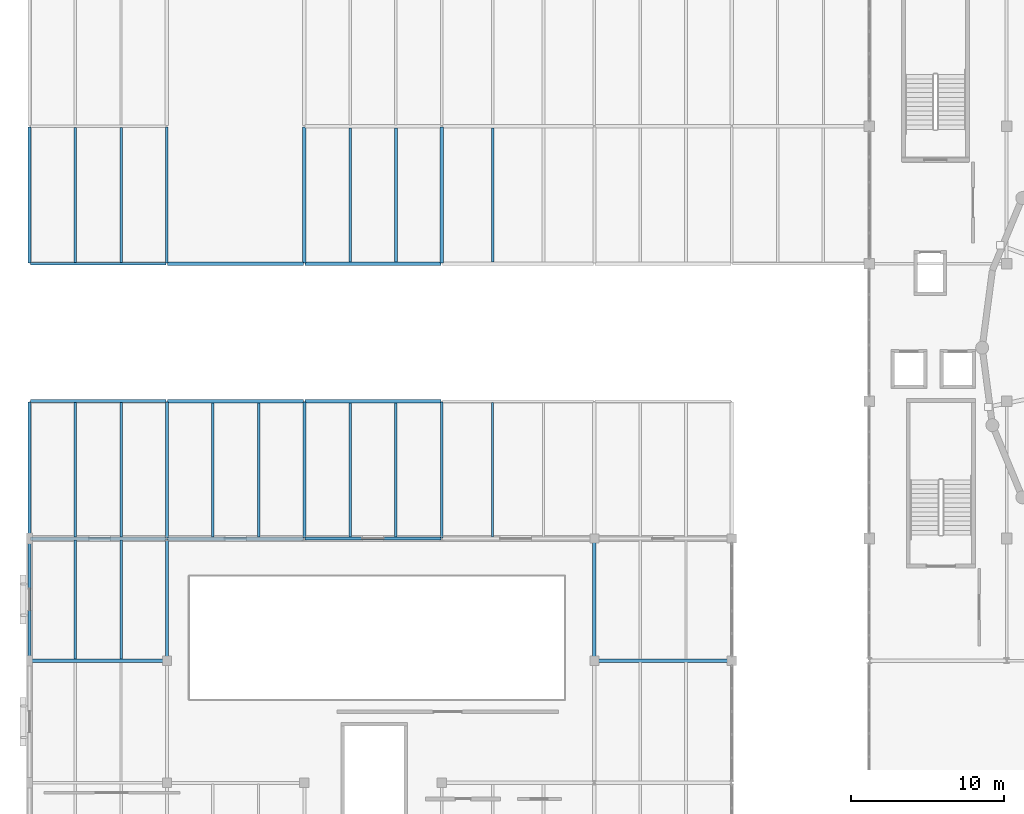
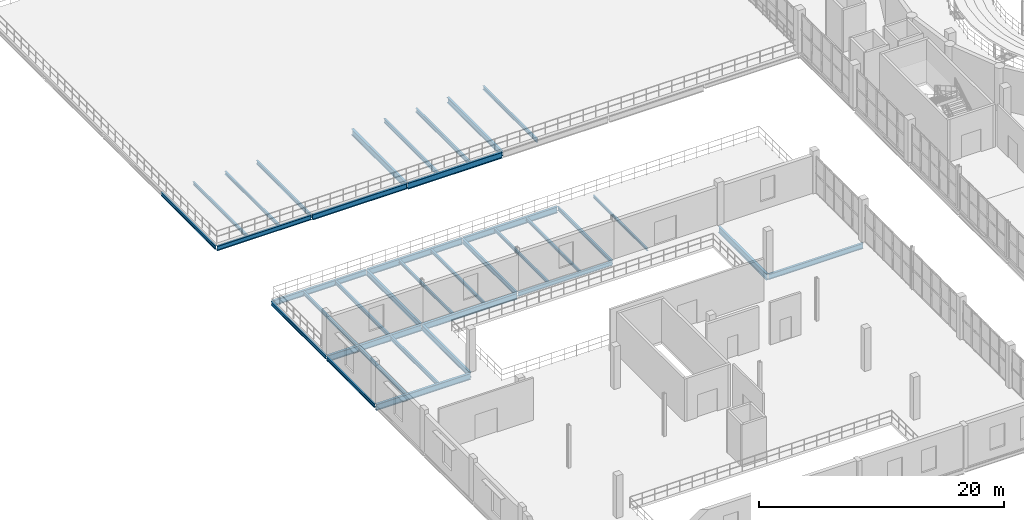
# One storey, part 18 of 73: 36 beams.
"""IFC4 building model written with IfcOpenShell, lengths in metres."""

import ifcopenshell
import ifcopenshell.guid

model = None  # the IFC model being written
_history = None  # IfcOwnerHistory: only IFC2X3 demands one
_inside = {}  # id of a spatial element -> (the spatial element, [elements in it])
_under = {}  # id of a project, library or spatial element -> (it, [spatial elements below it])
_declared = {}  # id of a project -> (the project, [libraries it declares])
_typed = {}  # id of a type object -> (the type object, [elements of that type])
_made_of = {}  # id of a material, layer set ... -> (it, [elements and type objects made of it])


def new_model(schema):
    """Start an empty IFC model of exactly this schema.

    Asked for "IFC4X3", IfcOpenShell would pick the latest addendum, in which some entities
    have other attributes; the version numbers below select the first issue.
    IFC2X3 requires an IfcOwnerHistory on every rooted entity: one is made here for all.
    """
    global model, _history
    if schema == "IFC4X3":
        model = ifcopenshell.file(schema_version=(4, 3, 0, 0))
    else:
        model = ifcopenshell.file(schema=schema)
    _inside.clear()
    _under.clear()
    _declared.clear()
    _typed.clear()
    _made_of.clear()
    _history = None
    if model.schema == "IFC2X3":
        org = make("IfcOrganization", Name="unknown")
        user = make(
            "IfcPersonAndOrganization",
            ThePerson=make("IfcPerson", FamilyName="unknown"),
            TheOrganization=org,
        )
        app = make(
            "IfcApplication",
            ApplicationDeveloper=org,
            Version="unknown",
            ApplicationFullName="unknown",
            ApplicationIdentifier="unknown",
        )
        _history = make(
            "IfcOwnerHistory",
            OwningUser=user,
            OwningApplication=app,
            ChangeAction="ADDED",
            CreationDate=0,
        )
    return model


def make(cls, **values):
    """One entity of the class cls with the attributes given. An attribute that is None is left unset."""
    return model.create_entity(
        cls, **{name: value for name, value in values.items() if value is not None}
    )


def rooted(cls, **values):
    """An entity with a GlobalId (a new one), such as an element, a storey or a relation."""
    return make(cls, GlobalId=ifcopenshell.guid.new(), OwnerHistory=_history, **values)


def si_unit(unit_type, name, prefix=None):
    """IfcSIUnit, for example si_unit("LENGTHUNIT", "METRE", prefix="MILLI")."""
    return make("IfcSIUnit", UnitType=unit_type, Prefix=prefix, Name=name)


def assignment(units):
    """IfcUnitAssignment: the units of a project."""
    return None if units is None else make("IfcUnitAssignment", Units=units)


def point(xyz):
    """IfcCartesianPoint."""
    return None if xyz is None else make("IfcCartesianPoint", Coordinates=xyz)


def direction(xyz):
    """IfcDirection."""
    return None if xyz is None else make("IfcDirection", DirectionRatios=xyz)


def frame(location, z_axis=None, x_axis=None):
    """IfcAxis2Placement3D, a coordinate frame: its origin and axes. An axis left out is left unset."""
    return make(
        "IfcAxis2Placement3D",
        Location=point(location),
        Axis=direction(z_axis),
        RefDirection=direction(x_axis),
    )


def frame_2d(location, x_axis=None):
    """IfcAxis2Placement2D, a coordinate frame in the plane: its origin and x axis."""
    return make(
        "IfcAxis2Placement2D", Location=point(location), RefDirection=direction(x_axis)
    )


def origin():
    """The frame at (0, 0, 0) with its axes left unset."""
    return frame((0.0, 0.0, 0.0))


def origin_2d():
    """The frame at (0, 0) in the plane with its x axis left unset."""
    return frame_2d((0.0, 0.0))


def place(relative_to, where):
    """IfcLocalPlacement: puts the frame where relative to a parent placement (None: the world)."""
    return make(
        "IfcLocalPlacement", PlacementRelTo=relative_to, RelativePlacement=where
    )


def context(
    kind, dimensions, precision=None, world=None, true_north=None, identifier=None
):
    """IfcGeometricRepresentationContext, for example the 3D "Model" context."""
    return make(
        "IfcGeometricRepresentationContext",
        ContextIdentifier=identifier,
        ContextType=kind,
        CoordinateSpaceDimension=dimensions,
        Precision=precision,
        WorldCoordinateSystem=world,
        TrueNorth=true_north,
    )


def subcontext(parent, identifier, kind, view, scale=None):
    """IfcGeometricRepresentationSubContext, for example "Body" below "Model"."""
    return make(
        "IfcGeometricRepresentationSubContext",
        ContextIdentifier=identifier,
        ContextType=kind,
        ParentContext=parent,
        TargetScale=scale,
        TargetView=view,
    )


def project(units=None, contexts=None):
    """IfcProject with its units and contexts."""
    return rooted(
        "IfcProject",
        Name="project",
        RepresentationContexts=contexts,
        UnitsInContext=assignment(units),
    )


def spatial(cls, under=None, at=None, **own):
    """A site, building, storey or space (cls), placed at a placement, below another one or the project."""
    s = rooted(cls, ObjectPlacement=at, **own)
    if under is not None:
        _under.setdefault(under.id(), (under, []))[1].append(s)
    return s


def profile(cls, at=None, kind="AREA", **sizes):
    """A parametric profile (cls). Its sizes go by their IFC names, for example OverallWidth=200.0."""
    return make(cls, ProfileType=kind, Position=at, **sizes)


def i_section(**sizes):
    """IfcIShapeProfileDef."""
    return profile("IfcIShapeProfileDef", **sizes)


def extrude(swept, where, along, depth):
    """IfcExtrudedAreaSolid: the profile swept, set in the frame where, extruded along a direction by depth."""
    return make(
        "IfcExtrudedAreaSolid",
        SweptArea=swept,
        Position=where,
        ExtrudedDirection=direction(along),
        Depth=depth,
    )


def shape(context_of_items, identifier, shape_type, items):
    """IfcShapeRepresentation: the items that make up one representation, for example the "Body"."""
    return make(
        "IfcShapeRepresentation",
        ContextOfItems=context_of_items,
        RepresentationIdentifier=identifier,
        RepresentationType=shape_type,
        Items=items,
    )


def material(Name=None, Category=None):
    """IfcMaterial."""
    return make("IfcMaterial", Name=Name, Category=Category)


def material_profile(
    of_material, cross_section, Name=None, Category=None, Priority=None
):
    """IfcMaterialProfile: a cross section and its material."""
    return make(
        "IfcMaterialProfile",
        Name=Name,
        Material=of_material,
        Profile=cross_section,
        Priority=Priority,
        Category=Category,
    )


def profile_set(profiles, Name=None, composite=None):
    """IfcMaterialProfileSet."""
    return make(
        "IfcMaterialProfileSet",
        Name=Name,
        MaterialProfiles=profiles,
        CompositeProfile=composite,
    )


def made_of(thing, what):
    """Note that an element or type object is made of a material, layer set ...; save() writes the relation."""
    if what is not None:
        _made_of.setdefault(what.id(), (what, []))[1].append(thing)
    return thing


def type_object(cls, material=None, **own):
    """A type object (cls), such as IfcWallType, which elements share."""
    return made_of(rooted(cls, **own), material)


def element(
    cls,
    number,
    at=None,
    inside=None,
    cuts=None,
    type_object=None,
    material=None,
    context=None,
    identifier="Body",
    shape_type=None,
    held_by="IfcProductDefinitionShape",
    body=None,
    shapes=None,
    **own,
):
    """One element of the class cls, such as IfcWall. Its Tag is "e" and its number.

    at: its placement. inside: the storey or other place that contains it. cuts: it is an
    opening in that element (IfcRelVoidsElement). A single representation is given by context,
    identifier, shape_type and body (its items); several are given by shapes. held_by: the class
    of the entity that holds the representations. save() writes the other relations.
    """
    e = rooted(cls, Tag="e%d" % number, ObjectPlacement=at, **own)
    if body is not None:
        shapes = [shape(context, identifier, shape_type, body)]
    if shapes is not None:
        e.Representation = make(held_by, Representations=shapes)
    if inside is not None:
        _inside.setdefault(inside.id(), (inside, []))[1].append(e)
    if cuts is not None:
        rooted(
            "IfcRelVoidsElement", RelatingBuildingElement=cuts, RelatedOpeningElement=e
        )
    if type_object is not None:
        _typed.setdefault(type_object.id(), (type_object, []))[1].append(e)
    return made_of(e, material)


def aggregate(whole, parts):
    """IfcRelAggregates: a whole, such as a stair, and the parts it consists of."""
    return rooted("IfcRelAggregates", RelatingObject=whole, RelatedObjects=parts)


def save(model, path):
    """Write the relations noted so far, then the file.

    IfcRelAggregates (storeys below a building ...), IfcRelContainedInSpatialStructure (elements
    in a storey), IfcRelDefinesByType, IfcRelAssociatesMaterial and IfcRelDeclares: one each for
    every whole, place, type object, material and project.
    """
    for whole, parts in _under.values():
        aggregate(whole, parts)
    for where, things in _inside.values():
        rooted(
            "IfcRelContainedInSpatialStructure",
            RelatedElements=things,
            RelatingStructure=where,
        )
    for kind, things in _typed.values():
        rooted("IfcRelDefinesByType", RelatedObjects=things, RelatingType=kind)
    for what, things in _made_of.values():
        rooted("IfcRelAssociatesMaterial", RelatedObjects=things, RelatingMaterial=what)
    for by, libraries in _declared.values():
        rooted("IfcRelDeclares", RelatingContext=by, RelatedDefinitions=libraries)
    model.write(path)


model = new_model("IFC4")

# Units and contexts
model_context = context("Model", 3, precision=1e-05, world=origin(), true_north=direction((0.0, 1.0)))
body_context = subcontext(model_context, "Body", "Model", "MODEL_VIEW")
ifc_project = project(units=[si_unit("LENGTHUNIT", "METRE"), si_unit("AREAUNIT", "SQUARE_METRE"), si_unit("VOLUMEUNIT", "CUBIC_METRE"), si_unit("PLANEANGLEUNIT", "RADIAN"), si_unit("MASSUNIT", "GRAM", prefix="KILO")], contexts=[model_context])

# Site, building, storey
site_placement = place(None, origin())
site = spatial("IfcSite", under=ifc_project, at=site_placement, CompositionType="ELEMENT")
building_placement = place(site_placement, origin())
building = spatial("IfcBuilding", under=site, at=building_placement, Name="Marnock Terrace Opera House", CompositionType="ELEMENT")
storey_placement = place(building_placement, frame((0.0, 0.0, 14.699951171875)))
storey = spatial("IfcBuildingStorey", under=building, at=storey_placement, Name="L03", CompositionType="ELEMENT", Elevation=14.699951171875)

# Beams
ifc_material = material(Name="Steel Grade 350 (AS/NZS 3679.1)", Category="steel")
ifc_material_profile_1 = material_profile(ifc_material, i_section(OverallWidth=0.1708984375, OverallDepth=0.355712890625, WebThickness=0.00732421875, FlangeThickness=0.011474609375, FilletRadius=0.011474609375, at=origin_2d()))
ifc_profile_set_1 = profile_set([ifc_material_profile_1], Name="Steel Grade 350 (AS/NZS 3679.1)")
beam_type_1 = type_object("IfcBeamType", Name="BM-GIRD-360", PredefinedType="BEAM", material=ifc_profile_set_1)
for number, where, z_axis, x_axis, name in (
    (1, (9.0, 66.050048828125, -0.44775390625), (0.0, 1.0, 0.0), (-1.0, 0.0, 0.0), "L03 girder (X=9.0, 66.0..75.0)"),
    (2, (27.0, 48.050048828125, -0.44775390625), (0.0, 1.0, 0.0), (-1.0, 0.0, 0.0), "L03 girder (X=27.0, 48.0..57.0)"),
):
    element("IfcBeam", number, at=place(storey_placement, frame(where, z_axis=z_axis, x_axis=x_axis)), inside=storey, type_object=beam_type_1, Name=name, PredefinedType="BEAM", context=body_context, shape_type="SweptSolid", body=[
        extrude(i_section(OverallWidth=0.1708984375, OverallDepth=0.355712890625, WebThickness=0.00732421875, FlangeThickness=0.011474609375, FilletRadius=0.011474609375, at=origin_2d()), origin(), (0.0, 0.0, 1.0), 8.89990234375),
    ])
ifc_material_profile_2 = material_profile(ifc_material, i_section(OverallWidth=0.177978515625, OverallDepth=0.402587890625, WebThickness=0.007568359375, FlangeThickness=0.010986328125, FilletRadius=0.011474609375, at=origin_2d()))
ifc_profile_set_2 = profile_set([ifc_material_profile_2], Name="Steel Grade 350 (AS/NZS 3679.1)")
beam_type_2 = type_object("IfcBeamType", Name="BM-GIRD-410", PredefinedType="BEAM", material=ifc_profile_set_2)
beam_1_placement = place(storey_placement, frame((18.050048828125, 48.0, -0.47119140625), z_axis=(1.0, 0.0, 0.0), x_axis=(0.0, 1.0, 0.0)))
element("IfcBeam", 3, at=beam_1_placement, inside=storey, type_object=beam_type_2, Name="L03 girder (18.0..27.0, Y=48.0)", PredefinedType="BEAM", context=body_context, shape_type="SweptSolid", body=[
    extrude(i_section(OverallWidth=0.177978515625, OverallDepth=0.402587890625, WebThickness=0.007568359375, FlangeThickness=0.010986328125, FilletRadius=0.011474609375, at=origin_2d()), origin(), (0.0, 0.0, 1.0), 8.89990234375),
])
ifc_material_profile_3 = material_profile(ifc_material, i_section(OverallWidth=0.19091796875, OverallDepth=0.46044921875, WebThickness=0.010009765625, FlangeThickness=0.01611328125, FilletRadius=0.011474609375, at=origin_2d()))
ifc_profile_set_3 = profile_set([ifc_material_profile_3], Name="Steel Grade 350 (AS/NZS 3679.1)")
beam_type_3 = type_object("IfcBeamType", Name="BM-GIRD-460A", PredefinedType="BEAM", material=ifc_profile_set_3)
beam_2_placement = place(storey_placement, frame((0.050048828125, 66.0, -0.500244140625), z_axis=(1.0, 0.0, 0.0), x_axis=(0.0, 1.0, 0.0)))
element("IfcBeam", 4, at=beam_2_placement, inside=storey, type_object=beam_type_3, Name="L03 girder (0.0..9.0, Y=66.0)", PredefinedType="BEAM", context=body_context, shape_type="SweptSolid", body=[
    extrude(i_section(OverallWidth=0.19091796875, OverallDepth=0.46044921875, WebThickness=0.010009765625, FlangeThickness=0.01611328125, FilletRadius=0.011474609375, at=origin_2d()), origin(), (0.0, 0.0, 1.0), 8.89990234375),
])
ifc_material_profile_4 = material_profile(ifc_material, i_section(OverallWidth=0.18994140625, OverallDepth=0.45751953125, WebThickness=0.009033203125, FlangeThickness=0.014404296875, FilletRadius=0.011474609375, at=origin_2d()))
ifc_profile_set_4 = profile_set([ifc_material_profile_4], Name="Steel Grade 350 (AS/NZS 3679.1)")
beam_type_4 = type_object("IfcBeamType", Name="BM-GIRD-460B", PredefinedType="BEAM", material=ifc_profile_set_4)
beam_3_placement = place(storey_placement, frame((18.0, 48.050048828125, -0.49853515625), z_axis=(0.0, 1.0, 0.0), x_axis=(-1.0, 0.0, 0.0)))
element("IfcBeam", 5, at=beam_3_placement, inside=storey, type_object=beam_type_4, Name="L03 girder (X=18.0, 48.0..57.0)", PredefinedType="BEAM", context=body_context, shape_type="SweptSolid", body=[
    extrude(i_section(OverallWidth=0.18994140625, OverallDepth=0.45751953125, WebThickness=0.009033203125, FlangeThickness=0.014404296875, FilletRadius=0.011474609375, at=origin_2d()), origin(), (0.0, 0.0, 1.0), 8.89990234375),
])
ifc_material_profile_5 = material_profile(ifc_material, i_section(OverallWidth=0.208984375, OverallDepth=0.532958984375, WebThickness=0.01025390625, FlangeThickness=0.015625, FilletRadius=0.013916015625, at=origin_2d()))
ifc_profile_set_5 = profile_set([ifc_material_profile_5], Name="Steel Grade 350 (AS/NZS 3679.1)")
beam_type_5 = type_object("IfcBeamType", Name="BM-GIRD-530A", PredefinedType="BEAM", material=ifc_profile_set_5)
for number, where, z_axis, x_axis, name in (
    (6, (37.050048828125, 40.0, -0.5263671875), (1.0, 0.0, 0.0), (0.0, 1.0, 0.0), "L03 girder (37.0..46.0, Y=40.0)"),
    (7, (0.050048828125, 57.0, -0.536376953125), (1.0, 0.0, 0.0), (0.0, 1.0, 0.0), "L03 girder (0.0..9.0, Y=57.0)"),
    (8, (9.050048828125, 66.0, -0.536376953125), (1.0, 0.0, 0.0), (0.0, 1.0, 0.0), "L03 girder (9.0..18.0, Y=66.0)"),
):
    element("IfcBeam", number, at=place(storey_placement, frame(where, z_axis=z_axis, x_axis=x_axis)), inside=storey, type_object=beam_type_5, Name=name, PredefinedType="BEAM", context=body_context, shape_type="SweptSolid", body=[
        extrude(i_section(OverallWidth=0.208984375, OverallDepth=0.532958984375, WebThickness=0.01025390625, FlangeThickness=0.015625, FilletRadius=0.013916015625, at=origin_2d()), origin(), (0.0, 0.0, 1.0), 8.89990234375),
    ])
ifc_material_profile_6 = material_profile(ifc_material, i_section(OverallWidth=0.208984375, OverallDepth=0.528076171875, WebThickness=0.009521484375, FlangeThickness=0.01318359375, FilletRadius=0.013916015625, at=origin_2d()))
ifc_profile_set_6 = profile_set([ifc_material_profile_6], Name="Steel Grade 350 (AS/NZS 3679.1)")
beam_type_6 = type_object("IfcBeamType", Name="BM-GIRD-530B", PredefinedType="BEAM", material=ifc_profile_set_6)
beam_4_placement = place(storey_placement, frame((9.0, 40.050048828125, -0.533935546875), z_axis=(0.0, 1.0, 0.0), x_axis=(-1.0, 0.0, 0.0)))
element("IfcBeam", 9, at=beam_4_placement, inside=storey, type_object=beam_type_6, Name="L03 girder (X=9.0, 40.0..48.0)", PredefinedType="BEAM", context=body_context, shape_type="SweptSolid", body=[
    extrude(i_section(OverallWidth=0.208984375, OverallDepth=0.528076171875, WebThickness=0.009521484375, FlangeThickness=0.01318359375, FilletRadius=0.013916015625, at=origin_2d()), origin(), (0.0, 0.0, 1.0), 7.89990234375),
])
for number, where, z_axis, x_axis, name in (
    (10, (9.0, 48.050048828125, -0.533935546875), (0.0, 1.0, 0.0), (-1.0, 0.0, 0.0), "L03 girder (X=9.0, 48.0..57.0)"),
    (11, (27.0, 66.050048828125, -0.533935546875), (0.0, 1.0, 0.0), (-1.0, 0.0, 0.0), "L03 girder (X=27.0, 66.0..75.0)"),
):
    element("IfcBeam", number, at=place(storey_placement, frame(where, z_axis=z_axis, x_axis=x_axis)), inside=storey, type_object=beam_type_6, Name=name, PredefinedType="BEAM", context=body_context, shape_type="SweptSolid", body=[
        extrude(i_section(OverallWidth=0.208984375, OverallDepth=0.528076171875, WebThickness=0.009521484375, FlangeThickness=0.01318359375, FilletRadius=0.013916015625, at=origin_2d()), origin(), (0.0, 0.0, 1.0), 8.89990234375),
    ])
ifc_material_profile_7 = material_profile(ifc_material, i_section(OverallWidth=0.22900390625, OverallDepth=0.611572265625, WebThickness=0.011962890625, FlangeThickness=0.01953125, FilletRadius=0.013916015625, at=origin_2d()))
ifc_profile_set_7 = profile_set([ifc_material_profile_7], Name="Steel Grade 350 (AS/NZS 3679.1)")
beam_type_7 = type_object("IfcBeamType", Name="BM-GIRD-610A", PredefinedType="BEAM", material=ifc_profile_set_7)
for number, where, z_axis, x_axis, name in (
    (12, (0.050048828125, 40.0, -0.565673828125), (1.0, 0.0, 0.0), (0.0, 1.0, 0.0), "L03 girder (0.0..9.0, Y=40.0)"),
    (13, (9.050048828125, 48.0, -0.57568359375), (1.0, 0.0, 0.0), (0.0, 1.0, 0.0), "L03 girder (9.0..18.0, Y=48.0)"),
    (14, (18.050048828125, 57.0, -0.57568359375), (1.0, 0.0, 0.0), (0.0, 1.0, 0.0), "L03 girder (18.0..27.0, Y=57.0)"),
):
    element("IfcBeam", number, at=place(storey_placement, frame(where, z_axis=z_axis, x_axis=x_axis)), inside=storey, type_object=beam_type_7, Name=name, PredefinedType="BEAM", context=body_context, shape_type="SweptSolid", body=[
        extrude(i_section(OverallWidth=0.22900390625, OverallDepth=0.611572265625, WebThickness=0.011962890625, FlangeThickness=0.01953125, FilletRadius=0.013916015625, at=origin_2d()), origin(), (0.0, 0.0, 1.0), 8.89990234375),
    ])
ifc_material_profile_8 = material_profile(ifc_material, i_section(OverallWidth=0.22802734375, OverallDepth=0.60693359375, WebThickness=0.01123046875, FlangeThickness=0.017333984375, FilletRadius=0.013916015625, at=origin_2d()))
ifc_profile_set_8 = profile_set([ifc_material_profile_8], Name="Steel Grade 350 (AS/NZS 3679.1)")
beam_type_8 = type_object("IfcBeamType", Name="BM-GIRD-610B", PredefinedType="BEAM", material=ifc_profile_set_8)
for number, where, z_axis, x_axis, name in (
    (15, (0.050048828125, 48.0, -0.573486328125), (1.0, 0.0, 0.0), (0.0, 1.0, 0.0), "L03 girder (0.0..9.0, Y=48.0)"),
    (16, (9.050048828125, 57.0, -0.573486328125), (1.0, 0.0, 0.0), (0.0, 1.0, 0.0), "L03 girder (9.0..18.0, Y=57.0)"),
    (17, (18.050048828125, 66.0, -0.573486328125), (1.0, 0.0, 0.0), (0.0, 1.0, 0.0), "L03 girder (18.0..27.0, Y=66.0)"),
):
    element("IfcBeam", number, at=place(storey_placement, frame(where, z_axis=z_axis, x_axis=x_axis)), inside=storey, type_object=beam_type_8, Name=name, PredefinedType="BEAM", context=body_context, shape_type="SweptSolid", body=[
        extrude(i_section(OverallWidth=0.22802734375, OverallDepth=0.60693359375, WebThickness=0.01123046875, FlangeThickness=0.017333984375, FilletRadius=0.013916015625, at=origin_2d()), origin(), (0.0, 0.0, 1.0), 8.89990234375),
    ])
ifc_material_profile_9 = material_profile(ifc_material, i_section(OverallWidth=0.22802734375, OverallDepth=0.60205078125, WebThickness=0.010498046875, FlangeThickness=0.014892578125, FilletRadius=0.013916015625, at=origin_2d()))
ifc_profile_set_9 = profile_set([ifc_material_profile_9], Name="Steel Grade 350 (AS/NZS 3679.1)")
beam_type_9 = type_object("IfcBeamType", Name="BM-GIRD-610C", PredefinedType="BEAM", material=ifc_profile_set_9)
beam_5_placement = place(storey_placement, frame((18.0, 66.050048828125, -0.571044921875), z_axis=(0.0, 1.0, 0.0), x_axis=(-1.0, 0.0, 0.0)))
element("IfcBeam", 18, at=beam_5_placement, inside=storey, type_object=beam_type_9, Name="L03 girder (X=18.0, 66.0..75.0)", PredefinedType="BEAM", context=body_context, shape_type="SweptSolid", body=[
    extrude(i_section(OverallWidth=0.22802734375, OverallDepth=0.60205078125, WebThickness=0.010498046875, FlangeThickness=0.014892578125, FilletRadius=0.013916015625, at=origin_2d()), origin(), (0.0, 0.0, 1.0), 8.89990234375),
])
beam_6_placement = place(storey_placement, frame((37.0, 40.050048828125, -0.571044921875), z_axis=(0.0, 1.0, 0.0), x_axis=(-1.0, 0.0, 0.0)))
element("IfcBeam", 19, at=beam_6_placement, inside=storey, type_object=beam_type_9, Name="L03 girder (X=37.0, 40.0..48.0)", PredefinedType="BEAM", context=body_context, shape_type="SweptSolid", body=[
    extrude(i_section(OverallWidth=0.22802734375, OverallDepth=0.60205078125, WebThickness=0.010498046875, FlangeThickness=0.014892578125, FilletRadius=0.013916015625, at=origin_2d()), origin(), (0.0, 0.0, 1.0), 7.89990234375),
])
ifc_material_profile_10 = material_profile(ifc_material, i_section(OverallWidth=0.14599609375, OverallDepth=0.256103515625, WebThickness=0.00634765625, FlangeThickness=0.010986328125, FilletRadius=0.0087890625, at=origin_2d()))
ifc_profile_set_10 = profile_set([ifc_material_profile_10], Name="Steel Grade 350 (AS/NZS 3679.1)")
beam_type_10 = type_object("IfcBeamType", Name="BM-JOIST-250", PredefinedType="JOIST", material=ifc_profile_set_10)
beam_7_placement = place(storey_placement, frame((30.333251953125, 48.090576171875, -0.39794921875), z_axis=(0.0, 1.0, 0.0), x_axis=(-1.0, 0.0, 0.0)))
element("IfcBeam", 20, at=beam_7_placement, inside=storey, type_object=beam_type_10, Name="L03 secondary joist 3.6.1", PredefinedType="JOIST", context=body_context, shape_type="SweptSolid", body=[
    extrude(i_section(OverallWidth=0.14599609375, OverallDepth=0.256103515625, WebThickness=0.00634765625, FlangeThickness=0.010986328125, FilletRadius=0.0087890625, at=origin_2d()), origin(), (0.0, 0.0, 1.0), 8.825439453125),
])
ifc_material_profile_11 = material_profile(ifc_material, i_section(OverallWidth=0.166015625, OverallDepth=0.30712890625, WebThickness=0.006591796875, FlangeThickness=0.01171875, FilletRadius=0.011474609375, at=origin_2d()))
ifc_profile_set_11 = profile_set([ifc_material_profile_11], Name="Steel Grade 350 (AS/NZS 3679.1)")
beam_type_11 = type_object("IfcBeamType", Name="BM-JOIST-310A", PredefinedType="JOIST", material=ifc_profile_set_11)
for number, where, z_axis, x_axis, name in (
    (21, (12.0, 48.109619140625, -0.423583984375), (0.0, 1.0, 0.0), (-1.0, 0.0, 0.0), "L03 secondary joist 1.6.1"),
    (22, (15.0, 48.109619140625, -0.423583984375), (0.0, 1.0, 0.0), (-1.0, 0.0, 0.0), "L03 secondary joist 1.6.2"),
):
    element("IfcBeam", number, at=place(storey_placement, frame(where, z_axis=z_axis, x_axis=x_axis)), inside=storey, type_object=beam_type_11, Name=name, PredefinedType="JOIST", context=body_context, shape_type="SweptSolid", body=[
        extrude(i_section(OverallWidth=0.166015625, OverallDepth=0.30712890625, WebThickness=0.006591796875, FlangeThickness=0.01171875, FilletRadius=0.011474609375, at=origin_2d()), origin(), (0.0, 0.0, 1.0), 8.781494140625),
    ])
ifc_material_profile_12 = material_profile(ifc_material, i_section(OverallWidth=0.1650390625, OverallDepth=0.3037109375, WebThickness=0.006103515625, FlangeThickness=0.01025390625, FilletRadius=0.011474609375, at=origin_2d()))
ifc_profile_set_12 = profile_set([ifc_material_profile_12], Name="Steel Grade 350 (AS/NZS 3679.1)")
beam_type_12 = type_object("IfcBeamType", Name="BM-JOIST-310B", PredefinedType="JOIST", material=ifc_profile_set_12)
for number, where, z_axis, x_axis, name in (
    (23, (3.0, 66.090576171875, -0.421875), (0.0, 1.0, 0.0), (-1.0, 0.0, 0.0), "L03 secondary joist 0.8.1"),
    (24, (6.0, 66.090576171875, -0.421875), (0.0, 1.0, 0.0), (-1.0, 0.0, 0.0), "L03 secondary joist 0.8.2"),
):
    element("IfcBeam", number, at=place(storey_placement, frame(where, z_axis=z_axis, x_axis=x_axis)), inside=storey, type_object=beam_type_12, Name=name, PredefinedType="JOIST", context=body_context, shape_type="SweptSolid", body=[
        extrude(i_section(OverallWidth=0.1650390625, OverallDepth=0.3037109375, WebThickness=0.006103515625, FlangeThickness=0.01025390625, FilletRadius=0.011474609375, at=origin_2d()), origin(), (0.0, 0.0, 1.0), 8.825439453125),
    ])
for number, where, z_axis, x_axis, name in (
    (25, (21.0, 48.083984375, -0.421875), (0.0, 1.0, 0.0), (-1.0, 0.0, 0.0), "L03 secondary joist 2.6.1"),
    (26, (24.0, 48.083984375, -0.421875), (0.0, 1.0, 0.0), (-1.0, 0.0, 0.0), "L03 secondary joist 2.6.2"),
):
    element("IfcBeam", number, at=place(storey_placement, frame(where, z_axis=z_axis, x_axis=x_axis)), inside=storey, type_object=beam_type_12, Name=name, PredefinedType="JOIST", context=body_context, shape_type="SweptSolid", body=[
        extrude(i_section(OverallWidth=0.1650390625, OverallDepth=0.3037109375, WebThickness=0.006103515625, FlangeThickness=0.01025390625, FilletRadius=0.011474609375, at=origin_2d()), origin(), (0.0, 0.0, 1.0), 8.806396484375),
    ])
ifc_material_profile_13 = material_profile(ifc_material, i_section(OverallWidth=0.172119140625, OverallDepth=0.358642578125, WebThickness=0.008056640625, FlangeThickness=0.012939453125, FilletRadius=0.011474609375, at=origin_2d()))
ifc_profile_set_13 = profile_set([ifc_material_profile_13], Name="Steel Grade 350 (AS/NZS 3679.1)")
beam_type_13 = type_object("IfcBeamType", Name="BM-JOIST-360", PredefinedType="JOIST", material=ifc_profile_set_13)
for number, where, z_axis, x_axis, name in (
    (27, (3.0, 48.10888671875, -0.44921875), (0.0, 1.0, 0.0), (-1.0, 0.0, 0.0), "L03 secondary joist 0.6.1"),
    (28, (6.0, 48.10888671875, -0.44921875), (0.0, 1.0, 0.0), (-1.0, 0.0, 0.0), "L03 secondary joist 0.6.2"),
):
    element("IfcBeam", number, at=place(storey_placement, frame(where, z_axis=z_axis, x_axis=x_axis)), inside=storey, type_object=beam_type_13, Name=name, PredefinedType="JOIST", context=body_context, shape_type="SweptSolid", body=[
        extrude(i_section(OverallWidth=0.172119140625, OverallDepth=0.358642578125, WebThickness=0.008056640625, FlangeThickness=0.012939453125, FilletRadius=0.011474609375, at=origin_2d()), origin(), (0.0, 0.0, 1.0), 8.79150390625),
    ])
beam_8_placement = place(storey_placement, frame((30.333251953125, 66.109619140625, -0.44921875), z_axis=(0.0, 1.0, 0.0), x_axis=(-1.0, 0.0, 0.0)))
element("IfcBeam", 29, at=beam_8_placement, inside=storey, type_object=beam_type_13, Name="L03 secondary joist 3.8.1", PredefinedType="JOIST", context=body_context, shape_type="SweptSolid", body=[
    extrude(i_section(OverallWidth=0.172119140625, OverallDepth=0.358642578125, WebThickness=0.008056640625, FlangeThickness=0.012939453125, FilletRadius=0.011474609375, at=origin_2d()), origin(), (0.0, 0.0, 1.0), 8.781494140625),
])
ifc_material_profile_14 = material_profile(ifc_material, i_section(OverallWidth=0.177978515625, OverallDepth=0.406494140625, WebThickness=0.0078125, FlangeThickness=0.0126953125, FilletRadius=0.011474609375, at=origin_2d()))
ifc_profile_set_14 = profile_set([ifc_material_profile_14], Name="Steel Grade 350 (AS/NZS 3679.1)")
beam_type_14 = type_object("IfcBeamType", Name="BM-JOIST-410", PredefinedType="JOIST", material=ifc_profile_set_14)
for number, where, z_axis, x_axis, name in (
    (30, (3.0, 40.109619140625, -0.47314453125), (0.0, 1.0, 0.0), (-1.0, 0.0, 0.0), "L03 secondary joist 0.5.1"),
    (31, (6.0, 40.109619140625, -0.47314453125), (0.0, 1.0, 0.0), (-1.0, 0.0, 0.0), "L03 secondary joist 0.5.2"),
):
    element("IfcBeam", number, at=place(storey_placement, frame(where, z_axis=z_axis, x_axis=x_axis)), inside=storey, type_object=beam_type_14, Name=name, PredefinedType="JOIST", context=body_context, shape_type="SweptSolid", body=[
        extrude(i_section(OverallWidth=0.177978515625, OverallDepth=0.406494140625, WebThickness=0.0078125, FlangeThickness=0.0126953125, FilletRadius=0.011474609375, at=origin_2d()), origin(), (0.0, 0.0, 1.0), 7.781494140625),
    ])
for number, where, z_axis, x_axis, name in (
    (32, (21.0, 66.10888671875, -0.47314453125), (0.0, 1.0, 0.0), (-1.0, 0.0, 0.0), "L03 secondary joist 2.8.1"),
    (33, (24.0, 66.10888671875, -0.47314453125), (0.0, 1.0, 0.0), (-1.0, 0.0, 0.0), "L03 secondary joist 2.8.2"),
):
    element("IfcBeam", number, at=place(storey_placement, frame(where, z_axis=z_axis, x_axis=x_axis)), inside=storey, type_object=beam_type_14, Name=name, PredefinedType="JOIST", context=body_context, shape_type="SweptSolid", body=[
        extrude(i_section(OverallWidth=0.177978515625, OverallDepth=0.406494140625, WebThickness=0.0078125, FlangeThickness=0.0126953125, FilletRadius=0.011474609375, at=origin_2d()), origin(), (0.0, 0.0, 1.0), 8.79150390625),
    ])
ifc_material_profile_15 = material_profile(ifc_material, i_section(OverallWidth=0.172119140625, OverallDepth=0.358642578125, WebThickness=0.008056640625, FlangeThickness=0.012939453125, FilletRadius=0.011474609375, at=origin_2d()))
ifc_profile_set_15 = profile_set([ifc_material_profile_15], Name="Steel Grade 350 (AS/NZS 3679.1)")
beam_type_15 = type_object("IfcBeamType", Name="BM-SPAN-360", PredefinedType="SPANDREL", material=ifc_profile_set_15)
beam_9_placement = place(storey_placement, frame((0.0, 40.050048828125, -0.44921875), z_axis=(0.0, 1.0, 0.0), x_axis=(-1.0, 0.0, 0.0)))
element("IfcBeam", 34, at=beam_9_placement, inside=storey, type_object=beam_type_15, Name="L03 girder (X=0.0, 40.0..48.0)", PredefinedType="SPANDREL", context=body_context, shape_type="SweptSolid", body=[
    extrude(i_section(OverallWidth=0.172119140625, OverallDepth=0.358642578125, WebThickness=0.008056640625, FlangeThickness=0.012939453125, FilletRadius=0.011474609375, at=origin_2d()), origin(), (0.0, 0.0, 1.0), 7.89990234375),
])
for number, where, z_axis, x_axis, name in (
    (35, (0.0, 48.050048828125, -0.44921875), (0.0, 1.0, 0.0), (-1.0, 0.0, 0.0), "L03 girder (X=0.0, 48.0..57.0)"),
    (36, (0.0, 66.050048828125, -0.44921875), (0.0, 1.0, 0.0), (-1.0, 0.0, 0.0), "L03 girder (X=0.0, 66.0..75.0)"),
):
    element("IfcBeam", number, at=place(storey_placement, frame(where, z_axis=z_axis, x_axis=x_axis)), inside=storey, type_object=beam_type_15, Name=name, PredefinedType="SPANDREL", context=body_context, shape_type="SweptSolid", body=[
        extrude(i_section(OverallWidth=0.172119140625, OverallDepth=0.358642578125, WebThickness=0.008056640625, FlangeThickness=0.012939453125, FilletRadius=0.011474609375, at=origin_2d()), origin(), (0.0, 0.0, 1.0), 8.89990234375),
    ])

save(model, "model.ifc")
